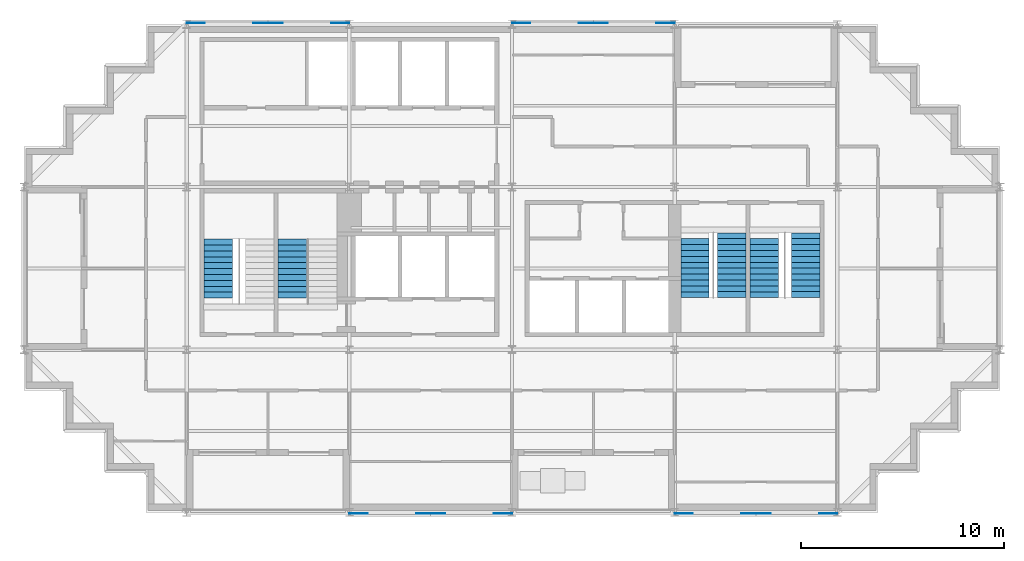
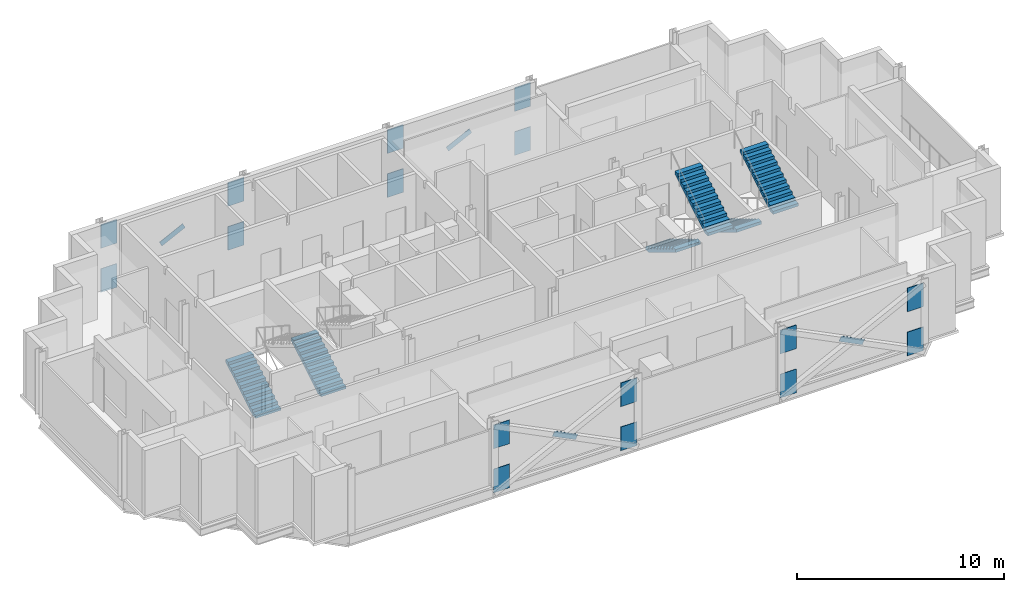
# One storey, part 8 of 10: 20 discrete accessories, 6 stair flights, 4 elements without a shape of their own.
"""IFC4 building model written with IfcOpenShell, lengths in metres."""

from ifc_helpers import new_model, si_unit, direction, frame, origin, origin_2d, place, context, subcontext, project, spatial, polyline, rectangle, outline, extrude, material, material_profile, profile_set, type_object, element, aggregate, save


model = new_model("IFC4")

# Units and contexts
model_context = context("Model", 3, precision=1e-05, world=origin(), true_north=direction((0.0, 1.0)))
body_context = subcontext(model_context, "Body", "Model", "MODEL_VIEW")
ifc_project = project(units=[si_unit("LENGTHUNIT", "METRE"), si_unit("AREAUNIT", "SQUARE_METRE"), si_unit("VOLUMEUNIT", "CUBIC_METRE"), si_unit("PLANEANGLEUNIT", "RADIAN"), si_unit("MASSUNIT", "GRAM", prefix="KILO")], contexts=[model_context])

# Site, building, storey
site_placement = place(None, origin())
site = spatial("IfcSite", under=ifc_project, at=site_placement, CompositionType="ELEMENT")
building_placement = place(site_placement, origin())
building = spatial("IfcBuilding", under=site, at=building_placement, Name="Immortelle Media Tower", CompositionType="ELEMENT")
storey_placement = place(building_placement, frame((0.0, 0.0, 255.0)))
storey = spatial("IfcBuildingStorey", under=building, at=storey_placement, Name="L55", CompositionType="ELEMENT", Elevation=255.0)

# Stair, stair flight
ifc_material_1 = material(Name="Steel ASTM A992 Gr 50", Category="steel")
stair_type = type_object("IfcStairType", Name="Stair with flights", PredefinedType="DOUBLE_RETURN_STAIR", material=ifc_material_1)
stair_1_placement = place(storey_placement, origin())
stair_1 = element("IfcStair", 1, at=stair_1_placement, inside=storey, type_object=stair_type, Name="Exit stair SW1", PredefinedType="DOUBLE_RETURN_STAIR")
stair_flight_type = type_object("IfcStairFlightType", Name="Stair flight 1400", PredefinedType="STRAIGHT", material=ifc_material_1)
stair_flight_1_placement = place(storey_placement, frame((9.550048828125, 10.5400390625, 0.0), z_axis=(0.0, 0.0, 1.0), x_axis=(0.0, 1.0, 0.0)))
stair_flight_1 = element("IfcStairFlight", 2, at=stair_flight_1_placement, type_object=stair_flight_type, Name="ST SW1 flight 1", NumberOfRisers=11, NumberOfTreads=10, PredefinedType="STRAIGHT", RiserHeight=0.173913043, TreadLength=0.29, context=body_context, shape_type="SweptSolid", body=[
    extrude(outline(polyline([(0.0, 0.0), (0.0, 0.173828125), (0.2900390625, 0.173828125), (0.2900390625, 0.347900390625), (0.580078125, 0.347900390625), (0.580078125, 0.521728515625), (0.8701171875, 0.521728515625), (0.8701171875, 0.695556640625), (1.159912109375, 0.695556640625), (1.159912109375, 0.86962890625), (1.449951171875, 0.86962890625), (1.449951171875, 1.04345703125), (1.739990234375, 1.04345703125), (1.739990234375, 1.21728515625), (2.030029296875, 1.21728515625), (2.030029296875, 1.391357421875), (2.320068359375, 1.391357421875), (2.320068359375, 1.565185546875), (2.610107421875, 1.565185546875), (2.610107421875, 1.739013671875), (2.89990234375, 1.739013671875), (2.89990234375, 1.9130859375), (2.89990234375, 1.564453125), (0.29150390625, 0.0), (0.0, 0.0)])), frame((0.0, 0.699951171875, 0.0), z_axis=(0.0, -1.0, 0.0), x_axis=(1.0, 0.0, 0.0)), (0.0, 0.0, 1.0), 1.39990234375),
])
aggregate(stair_1, [stair_flight_1])

stair_2_placement = place(storey_placement, origin())
stair_2 = element("IfcStair", 3, at=stair_2_placement, inside=storey, type_object=stair_type, Name="Exit stair SW2", PredefinedType="DOUBLE_RETURN_STAIR")
stair_flight_2_placement = place(storey_placement, frame((13.199951171875, 10.5400390625, 0.0), z_axis=(0.0, 0.0, 1.0), x_axis=(0.0, 1.0, 0.0)))
stair_flight_2 = element("IfcStairFlight", 4, at=stair_flight_2_placement, type_object=stair_flight_type, Name="ST SW2 flight 1", NumberOfRisers=11, NumberOfTreads=10, PredefinedType="STRAIGHT", RiserHeight=0.173913043, TreadLength=0.29, context=body_context, shape_type="SweptSolid", body=[
    extrude(outline(polyline([(0.0, 0.0), (0.0, 0.173828125), (0.2900390625, 0.173828125), (0.2900390625, 0.347900390625), (0.580078125, 0.347900390625), (0.580078125, 0.521728515625), (0.8701171875, 0.521728515625), (0.8701171875, 0.695556640625), (1.159912109375, 0.695556640625), (1.159912109375, 0.86962890625), (1.449951171875, 0.86962890625), (1.449951171875, 1.04345703125), (1.739990234375, 1.04345703125), (1.739990234375, 1.21728515625), (2.030029296875, 1.21728515625), (2.030029296875, 1.391357421875), (2.320068359375, 1.391357421875), (2.320068359375, 1.565185546875), (2.610107421875, 1.565185546875), (2.610107421875, 1.739013671875), (2.89990234375, 1.739013671875), (2.89990234375, 1.9130859375), (2.89990234375, 1.564453125), (0.29150390625, 0.0), (0.0, 0.0)])), frame((0.0, 0.699951171875, 0.0), z_axis=(0.0, -1.0, 0.0), x_axis=(1.0, 0.0, 0.0)), (0.0, 0.0, 1.0), 1.39990234375),
])
aggregate(stair_2, [stair_flight_2])

# Stair, stair flights
stair_3_placement = place(storey_placement, origin())
stair_3 = element("IfcStair", 5, at=stair_3_placement, inside=storey, type_object=stair_type, Name="Exit stair SE1", PredefinedType="DOUBLE_RETURN_STAIR")
stair_flight_3_placement = place(storey_placement, frame((33.0, 13.4599609375, 0.0), z_axis=(0.0, 0.0, 1.0), x_axis=(0.0, -1.0, 0.0)))
stair_flight_3 = element("IfcStairFlight", 6, at=stair_flight_3_placement, type_object=stair_flight_type, Name="ST SE1 flight 1", NumberOfRisers=11, NumberOfTreads=10, PredefinedType="STRAIGHT", RiserHeight=0.173913043, TreadLength=0.29, context=body_context, shape_type="SweptSolid", body=[
    extrude(outline(polyline([(0.0, 0.0), (0.0, 0.173828125), (0.2900390625, 0.173828125), (0.2900390625, 0.347900390625), (0.580078125, 0.347900390625), (0.580078125, 0.521728515625), (0.8701171875, 0.521728515625), (0.8701171875, 0.695556640625), (1.159912109375, 0.695556640625), (1.159912109375, 0.86962890625), (1.449951171875, 0.86962890625), (1.449951171875, 1.04345703125), (1.739990234375, 1.04345703125), (1.739990234375, 1.21728515625), (2.030029296875, 1.21728515625), (2.030029296875, 1.391357421875), (2.320068359375, 1.391357421875), (2.320068359375, 1.565185546875), (2.610107421875, 1.565185546875), (2.610107421875, 1.739013671875), (2.89990234375, 1.739013671875), (2.89990234375, 1.9130859375), (2.89990234375, 1.564453125), (0.29150390625, 0.0), (0.0, 0.0)])), frame((0.0, 0.699951171875, 0.0), z_axis=(0.0, -1.0, 0.0), x_axis=(1.0, 0.0, 0.0)), (0.0, 0.0, 1.0), 1.39990234375),
])
stair_flight_4_placement = place(storey_placement, frame((34.800048828125, 10.56005859375, 1.9130859375), z_axis=(0.0, 0.0, 1.0), x_axis=(0.0, 1.0, 0.0)))
stair_flight_4 = element("IfcStairFlight", 7, at=stair_flight_4_placement, type_object=stair_flight_type, Name="ST SE1 flight 2", NumberOfRisers=12, NumberOfTreads=11, PredefinedType="STRAIGHT", RiserHeight=0.173913043, TreadLength=0.29, context=body_context, shape_type="SweptSolid", body=[
    extrude(outline(polyline([(0.0, 0.0), (0.0, 0.173828125), (0.2900390625, 0.173828125), (0.2900390625, 0.347900390625), (0.580078125, 0.347900390625), (0.580078125, 0.521728515625), (0.8701171875, 0.521728515625), (0.8701171875, 0.695556640625), (1.159912109375, 0.695556640625), (1.159912109375, 0.86962890625), (1.449951171875, 0.86962890625), (1.449951171875, 1.04345703125), (1.739990234375, 1.04345703125), (1.739990234375, 1.21728515625), (2.030029296875, 1.21728515625), (2.030029296875, 1.391357421875), (2.320068359375, 1.391357421875), (2.320068359375, 1.565185546875), (2.610107421875, 1.565185546875), (2.610107421875, 1.739013671875), (2.89990234375, 1.739013671875), (2.89990234375, 1.9130859375), (3.18994140625, 1.9130859375), (3.18994140625, 2.0869140625), (3.18994140625, 1.73828125), (0.29150390625, 0.0), (0.0, 0.0)])), frame((0.0, 0.699951171875, 0.0), z_axis=(0.0, -1.0, 0.0), x_axis=(1.0, 0.0, 0.0)), (0.0, 0.0, 1.0), 1.39990234375),
])
aggregate(stair_3, [stair_flight_3, stair_flight_4])

stair_4_placement = place(storey_placement, origin())
stair_4 = element("IfcStair", 8, at=stair_4_placement, inside=storey, type_object=stair_type, Name="Exit stair SE2", PredefinedType="DOUBLE_RETURN_STAIR")
stair_flight_5_placement = place(storey_placement, frame((36.39990234375, 13.4599609375, 0.0), z_axis=(0.0, 0.0, 1.0), x_axis=(0.0, -1.0, 0.0)))
stair_flight_5 = element("IfcStairFlight", 9, at=stair_flight_5_placement, type_object=stair_flight_type, Name="ST SE2 flight 1", NumberOfRisers=11, NumberOfTreads=10, PredefinedType="STRAIGHT", RiserHeight=0.173913043, TreadLength=0.29, context=body_context, shape_type="SweptSolid", body=[
    extrude(outline(polyline([(0.0, 0.0), (0.0, 0.173828125), (0.2900390625, 0.173828125), (0.2900390625, 0.347900390625), (0.580078125, 0.347900390625), (0.580078125, 0.521728515625), (0.8701171875, 0.521728515625), (0.8701171875, 0.695556640625), (1.159912109375, 0.695556640625), (1.159912109375, 0.86962890625), (1.449951171875, 0.86962890625), (1.449951171875, 1.04345703125), (1.739990234375, 1.04345703125), (1.739990234375, 1.21728515625), (2.030029296875, 1.21728515625), (2.030029296875, 1.391357421875), (2.320068359375, 1.391357421875), (2.320068359375, 1.565185546875), (2.610107421875, 1.565185546875), (2.610107421875, 1.739013671875), (2.89990234375, 1.739013671875), (2.89990234375, 1.9130859375), (2.89990234375, 1.564453125), (0.29150390625, 0.0), (0.0, 0.0)])), frame((0.0, 0.699951171875, 0.0), z_axis=(0.0, -1.0, 0.0), x_axis=(1.0, 0.0, 0.0)), (0.0, 0.0, 1.0), 1.39990234375),
])
stair_flight_6_placement = place(storey_placement, frame((38.449951171875, 10.56005859375, 1.9130859375), z_axis=(0.0, 0.0, 1.0), x_axis=(0.0, 1.0, 0.0)))
stair_flight_6 = element("IfcStairFlight", 10, at=stair_flight_6_placement, type_object=stair_flight_type, Name="ST SE2 flight 2", NumberOfRisers=12, NumberOfTreads=11, PredefinedType="STRAIGHT", RiserHeight=0.173913043, TreadLength=0.29, context=body_context, shape_type="SweptSolid", body=[
    extrude(outline(polyline([(0.0, 0.0), (0.0, 0.173828125), (0.2900390625, 0.173828125), (0.2900390625, 0.347900390625), (0.580078125, 0.347900390625), (0.580078125, 0.521728515625), (0.8701171875, 0.521728515625), (0.8701171875, 0.695556640625), (1.159912109375, 0.695556640625), (1.159912109375, 0.86962890625), (1.449951171875, 0.86962890625), (1.449951171875, 1.04345703125), (1.739990234375, 1.04345703125), (1.739990234375, 1.21728515625), (2.030029296875, 1.21728515625), (2.030029296875, 1.391357421875), (2.320068359375, 1.391357421875), (2.320068359375, 1.565185546875), (2.610107421875, 1.565185546875), (2.610107421875, 1.739013671875), (2.89990234375, 1.739013671875), (2.89990234375, 1.9130859375), (3.18994140625, 1.9130859375), (3.18994140625, 2.0869140625), (3.18994140625, 1.73828125), (0.29150390625, 0.0), (0.0, 0.0)])), frame((0.0, 0.699951171875, 0.0), z_axis=(0.0, -1.0, 0.0), x_axis=(1.0, 0.0, 0.0)), (0.0, 0.0, 1.0), 1.39990234375),
])
aggregate(stair_4, [stair_flight_5, stair_flight_6])

# Discrete accessories
ifc_material_2 = material(Name="Steel ASTM A572 Gr 50", Category="steel")
ifc_material_profile_1 = material_profile(ifc_material_2, rectangle(XDim=0.02392578125, YDim=0.304931640625, at=origin_2d()), Name="PL 24 x 305")
ifc_profile_set_1 = profile_set([ifc_material_profile_1], Name="Steel ASTM A572 Gr 50")
discrete_accessory_type_1 = type_object("IfcDiscreteAccessoryType", Name="Crossing plate XP-BR6 1450 x 305 x 24", PredefinedType="USERDEFINED", material=ifc_profile_set_1)
for number, where, z_axis, x_axis, name in (
    (11, (28.6484375, 24.0625, 1.8681640625), (-0.894427191, 0.0, -0.4472135955), (0.0, -1.0, 0.0), "Crossing plate XP-BR6 of Brace D/4-5 A and Brace D/4-5 B"),
    (12, (12.6484375, 24.0625, 1.8681640625), (-0.894427191, 0.0, -0.4472135955), (0.0, -1.0, 0.0), "Crossing plate XP-BR6 of Brace D/2-3 A and Brace D/2-3 B"),
    (13, (19.3515625, -0.0625, 1.8681640625), (0.894427191, 0.0, -0.4472135955), (0.0, 1.0, 0.0), "Crossing plate XP-BR6 of Brace A/3-4 A and Brace A/3-4 B"),
    (14, (35.3515625, -0.0625, 1.8681640625), (0.894427191, 0.0, -0.4472135955), (0.0, 1.0, 0.0), "Crossing plate XP-BR6 of Brace A/5-6 A and Brace A/5-6 B"),
):
    element("IfcDiscreteAccessory", number, at=place(storey_placement, frame(where, z_axis=z_axis, x_axis=x_axis)), inside=storey, type_object=discrete_accessory_type_1, Name=name, ObjectType="CROSSING PLATE", PredefinedType="USERDEFINED", context=body_context, shape_type="SweptSolid", body=[
        extrude(rectangle(XDim=0.02392578125, YDim=0.304931640625, at=origin_2d()), origin(), (0.0, 0.0, 1.0), 1.449951171875),
    ])
ifc_material_profile_2 = material_profile(ifc_material_2, rectangle(XDim=0.031982421875, YDim=1.39990234375, at=origin_2d()), Name="PL 32 x 1400")
ifc_profile_set_2 = profile_set([ifc_material_profile_2], Name="Steel ASTM A572 Gr 50")
discrete_accessory_type_2 = type_object("IfcDiscreteAccessoryType", Name="Gusset plate GP1 900 x 1400 x 32", PredefinedType="USERDEFINED", material=ifc_profile_set_2)
for number, where, z_axis, x_axis, name in (
    (15, (16.0, -0.0625, 0.243896484375), (1.0, 0.0, 0.0), (0.0, 1.0, 0.0), "Gusset plate GP1, lower end of Brace A/3-4 A"),
    (16, (24.0, -0.0625, 2.843994140625), (-1.0, 0.0, 0.0), (0.0, -1.0, 0.0), "Gusset plate GP1, upper end of Brace A/3-4 A"),
    (17, (24.0, -0.0625, 0.243896484375), (-1.0, 0.0, 0.0), (0.0, -1.0, 0.0), "Gusset plate GP1, lower end of Brace A/3-4 B"),
    (18, (16.0, -0.0625, 2.843994140625), (1.0, 0.0, 0.0), (0.0, 1.0, 0.0), "Gusset plate GP1, upper end of Brace A/3-4 B"),
    (19, (32.0, -0.0625, 0.243896484375), (1.0, 0.0, 0.0), (0.0, 1.0, 0.0), "Gusset plate GP1, lower end of Brace A/5-6 A"),
    (20, (40.0, -0.0625, 2.843994140625), (-1.0, 0.0, 0.0), (0.0, -1.0, 0.0), "Gusset plate GP1, upper end of Brace A/5-6 A"),
    (21, (40.0, -0.0625, 0.243896484375), (-1.0, 0.0, 0.0), (0.0, -1.0, 0.0), "Gusset plate GP1, lower end of Brace A/5-6 B"),
    (22, (32.0, -0.0625, 2.843994140625), (1.0, 0.0, 0.0), (0.0, 1.0, 0.0), "Gusset plate GP1, upper end of Brace A/5-6 B"),
    (23, (32.0, 24.0625, 0.243896484375), (-1.0, 0.0, 0.0), (0.0, -1.0, 0.0), "Gusset plate GP1, lower end of Brace D/4-5 A"),
    (24, (24.0, 24.0625, 2.843994140625), (1.0, 0.0, 0.0), (0.0, 1.0, 0.0), "Gusset plate GP1, upper end of Brace D/4-5 A"),
    (25, (24.0, 24.0625, 0.243896484375), (1.0, 0.0, 0.0), (0.0, 1.0, 0.0), "Gusset plate GP1, lower end of Brace D/4-5 B"),
    (26, (32.0, 24.0625, 2.843994140625), (-1.0, 0.0, 0.0), (0.0, -1.0, 0.0), "Gusset plate GP1, upper end of Brace D/4-5 B"),
    (27, (16.0, 24.0625, 0.243896484375), (-1.0, 0.0, 0.0), (0.0, -1.0, 0.0), "Gusset plate GP1, lower end of Brace D/2-3 A"),
    (28, (8.0, 24.0625, 2.843994140625), (1.0, 0.0, 0.0), (0.0, 1.0, 0.0), "Gusset plate GP1, upper end of Brace D/2-3 A"),
    (29, (8.0, 24.0625, 0.243896484375), (1.0, 0.0, 0.0), (0.0, 1.0, 0.0), "Gusset plate GP1, lower end of Brace D/2-3 B"),
    (30, (16.0, 24.0625, 2.843994140625), (-1.0, 0.0, 0.0), (0.0, -1.0, 0.0), "Gusset plate GP1, upper end of Brace D/2-3 B"),
):
    element("IfcDiscreteAccessory", number, at=place(storey_placement, frame(where, z_axis=z_axis, x_axis=x_axis)), inside=storey, type_object=discrete_accessory_type_2, Name=name, ObjectType="GUSSET PLATE", PredefinedType="USERDEFINED", context=body_context, shape_type="SweptSolid", body=[
        extrude(rectangle(XDim=0.031982421875, YDim=1.39990234375, at=origin_2d()), origin(), (0.0, 0.0, 1.0), 0.89990234375),
    ])

save(model, "model.ifc")
